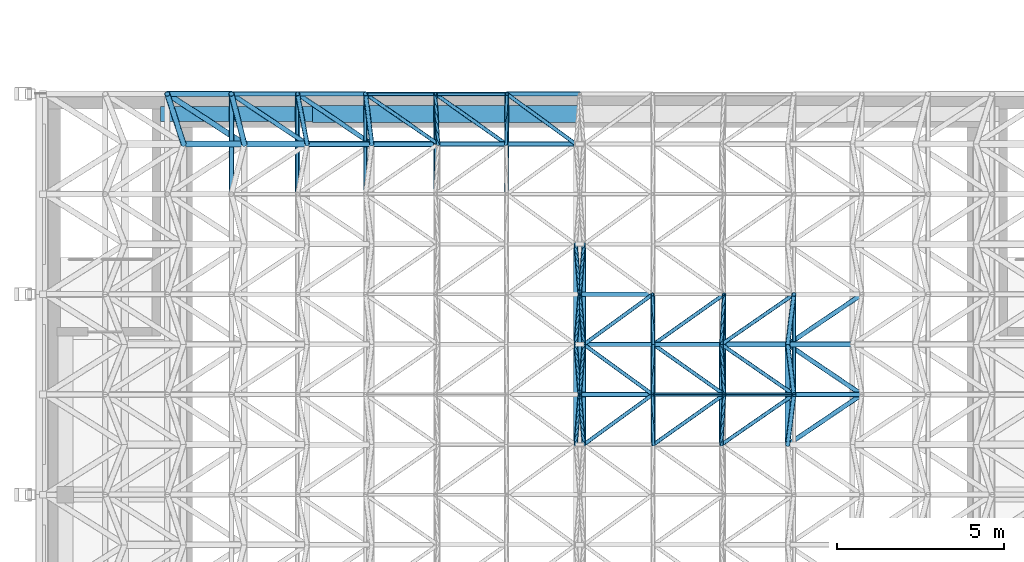
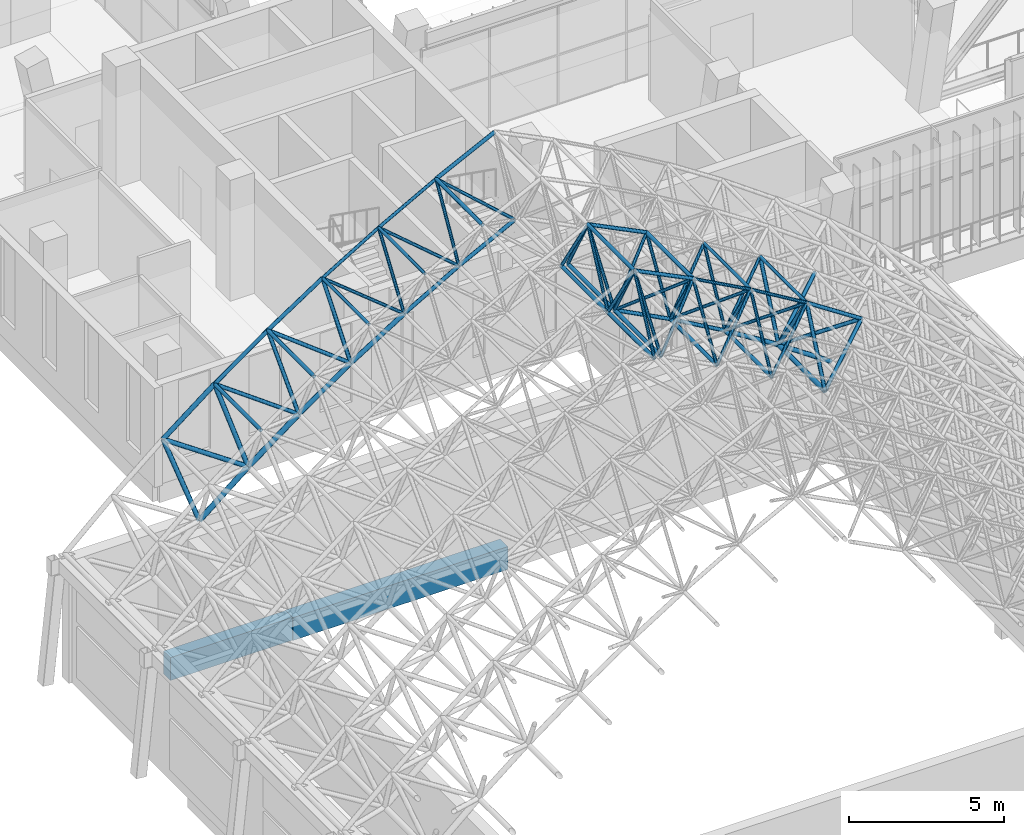
# One storey, part 26 of 141: 78 members, 2 beams.
"""IFC4 building model written with IfcOpenShell, lengths in metres."""

from ifc_helpers import new_model, si_unit, direction, frame, origin, origin_2d, place, context, subcontext, project, spatial, rectangle, hollow_circle, extrude, material, material_profile, profile_set, type_object, element, save


model = new_model("IFC4")

# Units and contexts
model_context = context("Model", 3, precision=1e-05, world=origin(), true_north=direction((0.0, 1.0)))
body_context = subcontext(model_context, "Body", "Model", "MODEL_VIEW")
ifc_project = project(units=[si_unit("LENGTHUNIT", "METRE"), si_unit("AREAUNIT", "SQUARE_METRE"), si_unit("VOLUMEUNIT", "CUBIC_METRE"), si_unit("PLANEANGLEUNIT", "RADIAN"), si_unit("MASSUNIT", "GRAM", prefix="KILO")], contexts=[model_context])

# Site, building, storey
site_placement = place(None, origin())
site = spatial("IfcSite", under=ifc_project, at=site_placement, CompositionType="ELEMENT")
building_placement = place(site_placement, origin())
building = spatial("IfcBuilding", under=site, at=building_placement, Name="Lantern Court Media Centre", CompositionType="ELEMENT")
storey_placement = place(building_placement, frame((0.0, 0.0, 9.60009765625)))
storey = spatial("IfcBuildingStorey", under=building, at=storey_placement, Name="L02", CompositionType="ELEMENT", Elevation=9.60009765625)

# Members
ifc_material_1 = material(Name="Steel S355J2 (EN 10025-2)", Category="steel")
ifc_material_profile_1 = material_profile(ifc_material_1, hollow_circle(Radius=0.06982421875, WallThickness=0.0048828125, at=origin_2d()), Name="Cinema Hall bottom CHS 139.7x5")
ifc_profile_set_1 = profile_set([ifc_material_profile_1], Name="Steel S355J2 (EN 10025-2)")
member_type_1 = type_object("IfcMemberType", Name="Cinema Hall bottom CHS 139.7x5", PredefinedType="CHORD", material=ifc_profile_set_1)
for number, where, z_axis, x_axis, name in (
    (1, (15.87939453125, 29.5, 13.298583984375), (0.0, 1.0, 0.0), (-1.0, 0.0, 0.0), "Cinema Hall bottom chord 08-11"),
    (2, (16.12060546875, 29.5, 13.298583984375), (0.0, 1.0, 0.0), (-1.0, 0.0, 0.0), "Cinema Hall bottom chord 09-11"),
    (3, (15.87939453125, 32.5, 13.298583984375), (0.0, 1.0, 0.0), (-1.0, 0.0, 0.0), "Cinema Hall bottom chord 08-12"),
    (4, (16.12060546875, 32.5, 13.298583984375), (0.0, 1.0, 0.0), (-1.0, 0.0, 0.0), "Cinema Hall bottom chord 09-12"),
):
    element("IfcMember", number, at=place(storey_placement, frame(where, z_axis=z_axis, x_axis=x_axis)), inside=storey, type_object=member_type_1, Name=name, PredefinedType="CHORD", context=body_context, shape_type="SweptSolid", body=[
        extrude(hollow_circle(Radius=0.06982421875, WallThickness=0.0048828125, at=origin_2d()), origin(), (0.0, 0.0, 1.0), 3.0),
    ])
ifc_material_profile_2 = material_profile(ifc_material_1, hollow_circle(Radius=0.06982421875, WallThickness=0.00634765625, at=origin_2d()), Name="Cinema Hall bottom CHS 139.7x6.3")
ifc_profile_set_2 = profile_set([ifc_material_profile_2], Name="Steel S355J2 (EN 10025-2)")
member_type_2 = type_object("IfcMemberType", Name="Cinema Hall bottom CHS 139.7x6.3", PredefinedType="CHORD", material=ifc_profile_set_2)
for number, where, z_axis, x_axis, name in (
    (5, (18.203125, 29.5, 12.21337890625), (0.0, 1.0, 0.0), (-1.0, 0.0, 0.0), "Cinema Hall bottom chord 10-11"),
    (6, (20.23974609375, 29.5, 11.04443359375), (0.0, 1.0, 0.0), (-1.0, 0.0, 0.0), "Cinema Hall bottom chord 11-11"),
):
    element("IfcMember", number, at=place(storey_placement, frame(where, z_axis=z_axis, x_axis=x_axis)), inside=storey, type_object=member_type_2, Name=name, PredefinedType="CHORD", context=body_context, shape_type="SweptSolid", body=[
        extrude(hollow_circle(Radius=0.06982421875, WallThickness=0.00634765625, at=origin_2d()), origin(), (0.0, 0.0, 1.0), 3.0),
    ])
member_1_placement = place(storey_placement, frame((16.12060546875, 32.5, 13.298583984375), z_axis=(0.88681645353, 0.0, -0.462121821329), x_axis=(0.0, 1.0, 0.0)))
element("IfcMember", 7, at=member_1_placement, inside=storey, type_object=member_type_2, Name="Cinema Hall bottom chord 09-12 across", PredefinedType="CHORD", context=body_context, shape_type="SweptSolid", body=[
    extrude(hollow_circle(Radius=0.06982421875, WallThickness=0.00634765625, at=origin_2d()), origin(), (0.0, 0.0, 1.0), 2.348388671875),
])
for number, where, z_axis, x_axis, name in (
    (8, (18.203125, 32.5, 12.21337890625), (0.867294659253, 0.0, -0.497795112503), (0.0, 1.0, 0.0), "Cinema Hall bottom chord 10-12 across"),
    (9, (11.76025390625, 38.5, 11.04443359375), (0.867294659253, 0.0, 0.497795112503), (0.0, 1.0, 0.0), "Cinema Hall bottom chord 06-14 across"),
):
    element("IfcMember", number, at=place(storey_placement, frame(where, z_axis=z_axis, x_axis=x_axis)), inside=storey, type_object=member_type_2, Name=name, PredefinedType="CHORD", context=body_context, shape_type="SweptSolid", body=[
        extrude(hollow_circle(Radius=0.06982421875, WallThickness=0.00634765625, at=origin_2d()), origin(), (0.0, 0.0, 1.0), 2.34814453125),
    ])
member_2_placement = place(storey_placement, frame((13.796875, 38.5, 12.21337890625), z_axis=(0.88681645353, 0.0, 0.462121821329), x_axis=(0.0, 1.0, 0.0)))
element("IfcMember", 10, at=member_2_placement, inside=storey, type_object=member_type_2, Name="Cinema Hall bottom chord 07-14 across", PredefinedType="CHORD", context=body_context, shape_type="SweptSolid", body=[
    extrude(hollow_circle(Radius=0.06982421875, WallThickness=0.00634765625, at=origin_2d()), origin(), (0.0, 0.0, 1.0), 2.348388671875),
])
ifc_material_profile_3 = material_profile(ifc_material_1, hollow_circle(Radius=0.084228515625, WallThickness=0.00634765625, at=origin_2d()), Name="Cinema Hall bottom CHS 168.3x6.3")
ifc_profile_set_3 = profile_set([ifc_material_profile_3], Name="Steel S355J2 (EN 10025-2)")
member_type_3 = type_object("IfcMemberType", Name="Cinema Hall bottom CHS 168.3x6.3", PredefinedType="CHORD", material=ifc_profile_set_3)
member_3_placement = place(storey_placement, frame((22.227294921875, 29.5, 9.7939453125), z_axis=(0.0, 1.0, 0.0), x_axis=(-1.0, 0.0, 0.0)))
element("IfcMember", 11, at=member_3_placement, inside=storey, type_object=member_type_3, Name="Cinema Hall bottom chord 12-11", PredefinedType="CHORD", context=body_context, shape_type="SweptSolid", body=[
    extrude(hollow_circle(Radius=0.084228515625, WallThickness=0.00634765625, at=origin_2d()), origin(), (0.0, 0.0, 1.0), 3.0),
])
for number, where, z_axis, x_axis, name in (
    (12, (20.23974609375, 32.5, 11.04443359375), (0.846411623189, 0.0, -0.532529214344), (0.0, 1.0, 0.0), "Cinema Hall bottom chord 11-12 across"),
    (13, (9.772705078125, 38.5, 9.7939453125), (0.846411623189, 0.0, 0.532529214344), (0.0, 1.0, 0.0), "Cinema Hall bottom chord 05-14 across"),
):
    element("IfcMember", number, at=place(storey_placement, frame(where, z_axis=z_axis, x_axis=x_axis)), inside=storey, type_object=member_type_3, Name=name, PredefinedType="CHORD", context=body_context, shape_type="SweptSolid", body=[
        extrude(hollow_circle(Radius=0.084228515625, WallThickness=0.00634765625, at=origin_2d()), origin(), (0.0, 0.0, 1.0), 2.34814453125),
    ])
ifc_material_profile_4 = material_profile(ifc_material_1, hollow_circle(Radius=0.084228515625, WallThickness=0.008056640625, at=origin_2d()), Name="Cinema Hall bottom CHS 168.3x8")
ifc_profile_set_4 = profile_set([ifc_material_profile_4], Name="Steel S355J2 (EN 10025-2)")
member_type_4 = type_object("IfcMemberType", Name="Cinema Hall bottom CHS 168.3x8", PredefinedType="CHORD", material=ifc_profile_set_4)
for number, where, z_axis, x_axis, name in (
    (14, (22.227294921875, 32.5, 9.7939453125), (0.824047991233, 0.0, -0.56651999801), (0.0, 1.0, 0.0), "Cinema Hall bottom chord 12-12 across"),
    (15, (7.837646484375, 38.5, 8.463623046875), (0.824047991233, 0.0, 0.56651999801), (0.0, 1.0, 0.0), "Cinema Hall bottom chord 04-14 across"),
):
    element("IfcMember", number, at=place(storey_placement, frame(where, z_axis=z_axis, x_axis=x_axis)), inside=storey, type_object=member_type_4, Name=name, PredefinedType="CHORD", context=body_context, shape_type="SweptSolid", body=[
        extrude(hollow_circle(Radius=0.084228515625, WallThickness=0.008056640625, at=origin_2d()), origin(), (0.0, 0.0, 1.0), 2.34814453125),
    ])
ifc_material_profile_5 = material_profile(ifc_material_1, hollow_circle(Radius=0.096923828125, WallThickness=0.010009765625, at=origin_2d()), Name="Cinema Hall bottom CHS 193.7x10")
ifc_profile_set_5 = profile_set([ifc_material_profile_5], Name="Steel S355J2 (EN 10025-2)")
member_type_5 = type_object("IfcMemberType", Name="Cinema Hall bottom CHS 193.7x10", PredefinedType="CHORD", material=ifc_profile_set_5)
member_4_placement = place(storey_placement, frame((4.1376953125, 38.5, 5.57275390625), z_axis=(0.775340578175, 0.0, 0.63154333805), x_axis=(0.0, 1.0, 0.0)))
element("IfcMember", 16, at=member_4_placement, inside=storey, type_object=member_type_5, Name="Cinema Hall bottom chord 02-14 across", PredefinedType="CHORD", context=body_context, shape_type="SweptSolid", body=[
    extrude(hollow_circle(Radius=0.096923828125, WallThickness=0.010009765625, at=origin_2d()), origin(), (0.0, 0.0, 1.0), 2.34814453125),
])
ifc_material_profile_6 = material_profile(ifc_material_1, hollow_circle(Radius=0.096923828125, WallThickness=0.008056640625, at=origin_2d()), Name="Cinema Hall bottom CHS 193.7x8")
ifc_profile_set_6 = profile_set([ifc_material_profile_6], Name="Steel S355J2 (EN 10025-2)")
member_type_6 = type_object("IfcMemberType", Name="Cinema Hall bottom CHS 193.7x8", PredefinedType="CHORD", material=ifc_profile_set_6)
member_5_placement = place(storey_placement, frame((5.958251953125, 38.5, 7.0556640625), z_axis=(0.800324254575, 0.0, 0.599567417009), x_axis=(0.0, 1.0, 0.0)))
element("IfcMember", 17, at=member_5_placement, inside=storey, type_object=member_type_6, Name="Cinema Hall bottom chord 03-14 across", PredefinedType="CHORD", context=body_context, shape_type="SweptSolid", body=[
    extrude(hollow_circle(Radius=0.096923828125, WallThickness=0.008056640625, at=origin_2d()), origin(), (0.0, 0.0, 1.0), 2.348388671875),
])
ifc_material_profile_7 = material_profile(ifc_material_1, hollow_circle(Radius=0.05712890625, WallThickness=0.0048828125, at=origin_2d()), Name="Cinema Hall diagonal CHS 114.3x5")
ifc_profile_set_7 = profile_set([ifc_material_profile_7], Name="Steel S355J2 (EN 10025-2)")
member_type_7 = type_object("IfcMemberType", Name="Cinema Hall diagonal CHS 114.3x5", PredefinedType="BRACE", material=ifc_profile_set_7)
member_6_placement = place(storey_placement, frame((15.87939453125, 29.5, 13.298583984375), z_axis=(0.041317175069, 0.513871910171, 0.85687137365), x_axis=(-0.996783215266, 0.080145004613, 0.0)))
element("IfcMember", 18, at=member_6_placement, inside=storey, type_object=member_type_7, Name="Cinema Hall diagonal 08-11-3", PredefinedType="BRACE", context=body_context, shape_type="SweptSolid", body=[
    extrude(hollow_circle(Radius=0.05712890625, WallThickness=0.0048828125, at=origin_2d()), origin(), (0.0, 0.0, 1.0), 2.9189453125),
])
member_7_placement = place(storey_placement, frame((16.12060546875, 29.5, 13.298583984375), z_axis=(0.706879781117, 0.513851085564, 0.486084392789), x_axis=(-0.587989591395, 0.808868493892, 0.0)))
element("IfcMember", 19, at=member_7_placement, inside=storey, type_object=member_type_7, Name="Cinema Hall diagonal 09-11-3", PredefinedType="BRACE", context=body_context, shape_type="SweptSolid", body=[
    extrude(hollow_circle(Radius=0.05712890625, WallThickness=0.0048828125, at=origin_2d()), origin(), (0.0, 0.0, 1.0), 2.919189453125),
])
for number, where, z_axis, x_axis, name in (
    (20, (16.12060546875, 29.5, 13.298583984375), (-0.041317175069, 0.513871910171, 0.85687137365), (-0.996783215266, -0.080145004613, 0.0), "Cinema Hall diagonal 09-11-4"),
    (21, (15.87939453125, 32.5, 13.298583984375), (0.041317175069, -0.513871910171, 0.85687137365), (0.996783215266, 0.080145004613, 0.0), "Cinema Hall diagonal 08-12-2"),
    (22, (15.87939453125, 32.5, 13.298583984375), (0.041317175069, 0.513871910171, 0.85687137365), (-0.996783215266, 0.080145004613, 0.0), "Cinema Hall diagonal 08-12-3"),
    (23, (16.12060546875, 32.5, 13.298583984375), (-0.041317175069, -0.513871910171, 0.85687137365), (0.996783215266, -0.080145004613, 0.0), "Cinema Hall diagonal 09-12-1"),
):
    element("IfcMember", number, at=place(storey_placement, frame(where, z_axis=z_axis, x_axis=x_axis)), inside=storey, type_object=member_type_7, Name=name, PredefinedType="BRACE", context=body_context, shape_type="SweptSolid", body=[
        extrude(hollow_circle(Radius=0.05712890625, WallThickness=0.0048828125, at=origin_2d()), origin(), (0.0, 0.0, 1.0), 2.9189453125),
    ])
for number, where, z_axis, x_axis, name in (
    (24, (16.12060546875, 32.5, 13.298583984375), (0.706879781117, -0.513851085564, 0.486084392789), (0.587989591395, 0.808868493892, 0.0), "Cinema Hall diagonal 09-12-2"),
    (25, (16.12060546875, 32.5, 13.298583984375), (0.706879781117, 0.513851085564, 0.486084392789), (-0.587989591395, 0.808868493892, 0.0), "Cinema Hall diagonal 09-12-3"),
):
    element("IfcMember", number, at=place(storey_placement, frame(where, z_axis=z_axis, x_axis=x_axis)), inside=storey, type_object=member_type_7, Name=name, PredefinedType="BRACE", context=body_context, shape_type="SweptSolid", body=[
        extrude(hollow_circle(Radius=0.05712890625, WallThickness=0.0048828125, at=origin_2d()), origin(), (0.0, 0.0, 1.0), 2.919189453125),
    ])
for number, where, z_axis, x_axis, name in (
    (26, (16.12060546875, 32.5, 13.298583984375), (-0.041317175069, 0.513871910171, 0.85687137365), (-0.996783215266, -0.080145004613, 0.0), "Cinema Hall diagonal 09-12-4"),
    (27, (15.87939453125, 35.5, 13.298583984375), (0.041317175069, -0.513871910171, 0.85687137365), (0.996783215266, 0.080145004613, 0.0), "Cinema Hall diagonal 08-13-2"),
    (28, (16.12060546875, 35.5, 13.298583984375), (-0.041317175069, -0.513871910171, 0.85687137365), (0.996783215266, -0.080145004613, 0.0), "Cinema Hall diagonal 09-13-1"),
):
    element("IfcMember", number, at=place(storey_placement, frame(where, z_axis=z_axis, x_axis=x_axis)), inside=storey, type_object=member_type_7, Name=name, PredefinedType="BRACE", context=body_context, shape_type="SweptSolid", body=[
        extrude(hollow_circle(Radius=0.05712890625, WallThickness=0.0048828125, at=origin_2d()), origin(), (0.0, 0.0, 1.0), 2.9189453125),
    ])
member_8_placement = place(storey_placement, frame((15.87939453125, 38.5, 13.298583984375), z_axis=(-0.706879781117, 0.513851085564, 0.486084392789), x_axis=(-0.587989591395, -0.808868493892, 0.0)))
element("IfcMember", 29, at=member_8_placement, inside=storey, type_object=member_type_7, Name="Cinema Hall diagonal 08-14-4", PredefinedType="BRACE", context=body_context, shape_type="SweptSolid", body=[
    extrude(hollow_circle(Radius=0.05712890625, WallThickness=0.0048828125, at=origin_2d()), origin(), (0.0, 0.0, 1.0), 2.919189453125),
])
ifc_material_profile_8 = material_profile(ifc_material_1, hollow_circle(Radius=0.05712890625, WallThickness=0.00634765625, at=origin_2d()), Name="Cinema Hall diagonal CHS 114.3x6.3")
ifc_profile_set_8 = profile_set([ifc_material_profile_8], Name="Steel S355J2 (EN 10025-2)")
member_type_8 = type_object("IfcMemberType", Name="Cinema Hall diagonal CHS 114.3x6.3", PredefinedType="BRACE", material=ifc_profile_set_8)
for number, where, z_axis, x_axis, name in (
    (30, (18.203125, 29.5, 12.21337890625), (0.726033609038, 0.513852147671, 0.456980490702), (-0.577701627838, 0.816248019411, 0.0), "Cinema Hall diagonal 10-11-3"),
    (31, (18.203125, 29.5, 12.21337890625), (-0.006523580306, 0.513857402591, 0.857850810283), (-0.99991942426, -0.012694289566, 0.0), "Cinema Hall diagonal 10-11-4"),
    (32, (20.23974609375, 29.5, 11.04443359375), (0.744001537395, 0.513842788417, 0.427115091218), (-0.568286154794, 0.822830994962, 0.0), "Cinema Hall diagonal 11-11-3"),
    (33, (20.23974609375, 29.5, 11.04443359375), (0.028351859734, 0.513846095007, 0.857413763999), (-0.998481283351, 0.055091984872, 0.0), "Cinema Hall diagonal 11-11-4"),
    (34, (18.203125, 32.5, 12.21337890625), (-0.006523580306, -0.513857402591, 0.857850810283), (0.99991942426, -0.012694289566, 0.0), "Cinema Hall diagonal 10-12-1"),
    (35, (18.203125, 32.5, 12.21337890625), (0.726033609038, -0.513852147671, 0.456980490702), (0.577701627838, 0.816248019411, 0.0), "Cinema Hall diagonal 10-12-2"),
    (36, (18.203125, 32.5, 12.21337890625), (0.726033609038, 0.513852147671, 0.456980490702), (-0.577701627838, 0.816248019411, 0.0), "Cinema Hall diagonal 10-12-3"),
    (37, (18.203125, 32.5, 12.21337890625), (-0.006523580306, 0.513857402591, 0.857850810283), (-0.99991942426, -0.012694289566, 0.0), "Cinema Hall diagonal 10-12-4"),
    (38, (20.23974609375, 32.5, 11.04443359375), (0.028351859734, -0.513846095007, 0.857413763999), (0.998481283351, 0.055091984872, 0.0), "Cinema Hall diagonal 11-12-1"),
    (39, (20.23974609375, 32.5, 11.04443359375), (0.744001537395, -0.513842788417, 0.427115091218), (0.568286154794, 0.822830994962, 0.0), "Cinema Hall diagonal 11-12-2"),
    (40, (20.23974609375, 32.5, 11.04443359375), (0.744001537395, 0.513842788417, 0.427115091218), (-0.568286154794, 0.822830994962, 0.0), "Cinema Hall diagonal 11-12-3"),
    (41, (20.23974609375, 32.5, 11.04443359375), (0.028351859734, 0.513846095007, 0.857413763999), (-0.998481283351, 0.055091984872, 0.0), "Cinema Hall diagonal 11-12-4"),
    (42, (11.76025390625, 38.5, 11.04443359375), (-0.028351859734, 0.513846095007, 0.857413763999), (-0.998481283351, -0.055091984872, 0.0), "Cinema Hall diagonal 06-14-3"),
    (43, (11.76025390625, 38.5, 11.04443359375), (-0.744001537395, 0.513842788417, 0.427115091218), (-0.568286154794, -0.822830994962, 0.0), "Cinema Hall diagonal 06-14-4"),
    (44, (13.796875, 38.5, 12.21337890625), (0.006523580306, 0.513857402591, 0.857850810283), (-0.99991942426, 0.012694289566, 0.0), "Cinema Hall diagonal 07-14-3"),
    (45, (13.796875, 38.5, 12.21337890625), (-0.726033609038, 0.513852147671, 0.456980490702), (-0.577701627838, -0.816248019411, 0.0), "Cinema Hall diagonal 07-14-4"),
):
    element("IfcMember", number, at=place(storey_placement, frame(where, z_axis=z_axis, x_axis=x_axis)), inside=storey, type_object=member_type_8, Name=name, PredefinedType="BRACE", context=body_context, shape_type="SweptSolid", body=[
        extrude(hollow_circle(Radius=0.05712890625, WallThickness=0.00634765625, at=origin_2d()), origin(), (0.0, 0.0, 1.0), 2.919189453125),
    ])
ifc_material_profile_9 = material_profile(ifc_material_1, hollow_circle(Radius=0.06982421875, WallThickness=0.00634765625, at=origin_2d()), Name="Cinema Hall diagonal CHS 139.7x6.3")
ifc_profile_set_9 = profile_set([ifc_material_profile_9], Name="Steel S355J2 (EN 10025-2)")
member_type_9 = type_object("IfcMemberType", Name="Cinema Hall diagonal CHS 139.7x6.3", PredefinedType="BRACE", material=ifc_profile_set_9)
member_9_placement = place(storey_placement, frame((22.227294921875, 29.5, 9.7939453125), z_axis=(0.760744068819, 0.513853513503, 0.396513591718), x_axis=(-0.559735691147, 0.828671199003, 0.0)))
element("IfcMember", 46, at=member_9_placement, inside=storey, type_object=member_type_9, Name="Cinema Hall diagonal 12-11-3", PredefinedType="BRACE", context=body_context, shape_type="SweptSolid", body=[
    extrude(hollow_circle(Radius=0.06982421875, WallThickness=0.00634765625, at=origin_2d()), origin(), (0.0, 0.0, 1.0), 2.919189453125),
])
for number, where, z_axis, x_axis, name in (
    (47, (22.227294921875, 29.5, 9.7939453125), (0.063147046974, 0.513874776966, 0.855537938409), (-0.992534194664, 0.121966685705, 0.0), "Cinema Hall diagonal 12-11-4"),
    (48, (22.227294921875, 32.5, 9.7939453125), (0.063147046974, -0.513874776966, 0.855537938409), (0.992534194664, 0.121966685705, 0.0), "Cinema Hall diagonal 12-12-1"),
):
    element("IfcMember", number, at=place(storey_placement, frame(where, z_axis=z_axis, x_axis=x_axis)), inside=storey, type_object=member_type_9, Name=name, PredefinedType="BRACE", context=body_context, shape_type="SweptSolid", body=[
        extrude(hollow_circle(Radius=0.06982421875, WallThickness=0.00634765625, at=origin_2d()), origin(), (0.0, 0.0, 1.0), 2.9189453125),
    ])
for number, where, z_axis, x_axis, name in (
    (49, (22.227294921875, 32.5, 9.7939453125), (0.760744068819, -0.513853513503, 0.396513591718), (0.559735691147, 0.828671199003, 0.0), "Cinema Hall diagonal 12-12-2"),
    (50, (22.227294921875, 32.5, 9.7939453125), (0.760744068819, 0.513853513503, 0.396513591718), (-0.559735691147, 0.828671199003, 0.0), "Cinema Hall diagonal 12-12-3"),
):
    element("IfcMember", number, at=place(storey_placement, frame(where, z_axis=z_axis, x_axis=x_axis)), inside=storey, type_object=member_type_9, Name=name, PredefinedType="BRACE", context=body_context, shape_type="SweptSolid", body=[
        extrude(hollow_circle(Radius=0.06982421875, WallThickness=0.00634765625, at=origin_2d()), origin(), (0.0, 0.0, 1.0), 2.919189453125),
    ])
for number, where, z_axis, x_axis, name in (
    (51, (22.227294921875, 32.5, 9.7939453125), (0.063147046974, 0.513874776966, 0.855537938409), (-0.992534194664, 0.121966685705, 0.0), "Cinema Hall diagonal 12-12-4"),
    (52, (9.772705078125, 38.5, 9.7939453125), (-0.063147046974, 0.513874776966, 0.855537938409), (-0.992534194664, -0.121966685705, 0.0), "Cinema Hall diagonal 05-14-3"),
):
    element("IfcMember", number, at=place(storey_placement, frame(where, z_axis=z_axis, x_axis=x_axis)), inside=storey, type_object=member_type_9, Name=name, PredefinedType="BRACE", context=body_context, shape_type="SweptSolid", body=[
        extrude(hollow_circle(Radius=0.06982421875, WallThickness=0.00634765625, at=origin_2d()), origin(), (0.0, 0.0, 1.0), 2.9189453125),
    ])
member_10_placement = place(storey_placement, frame((9.772705078125, 38.5, 9.7939453125), z_axis=(-0.760744068819, 0.513853513503, 0.396513591718), x_axis=(-0.559735691147, -0.828671199003, 0.0)))
element("IfcMember", 53, at=member_10_placement, inside=storey, type_object=member_type_9, Name="Cinema Hall diagonal 05-14-4", PredefinedType="BRACE", context=body_context, shape_type="SweptSolid", body=[
    extrude(hollow_circle(Radius=0.06982421875, WallThickness=0.00634765625, at=origin_2d()), origin(), (0.0, 0.0, 1.0), 2.919189453125),
])
ifc_material_profile_10 = material_profile(ifc_material_1, hollow_circle(Radius=0.06982421875, WallThickness=0.008056640625, at=origin_2d()), Name="Cinema Hall diagonal CHS 139.7x8")
ifc_profile_set_10 = profile_set([ifc_material_profile_10], Name="Steel S355J2 (EN 10025-2)")
member_type_10 = type_object("IfcMemberType", Name="Cinema Hall diagonal CHS 139.7x8", PredefinedType="BRACE", material=ifc_profile_set_10)
member_11_placement = place(storey_placement, frame((7.837646484375, 38.5, 8.463623046875), z_axis=(-0.09785614588, 0.51387022247, 0.852268484207), x_axis=(-0.982346962135, -0.187068025016, 0.0)))
element("IfcMember", 54, at=member_11_placement, inside=storey, type_object=member_type_10, Name="Cinema Hall diagonal 04-14-3", PredefinedType="BRACE", context=body_context, shape_type="SweptSolid", body=[
    extrude(hollow_circle(Radius=0.06982421875, WallThickness=0.008056640625, at=origin_2d()), origin(), (0.0, 0.0, 1.0), 2.9189453125),
])
member_12_placement = place(storey_placement, frame((7.837646484375, 38.5, 8.463623046875), z_axis=(-0.776210877705, 0.513849761084, 0.365315064521), x_axis=(-0.552001963744, -0.833842810141, 0.0)))
element("IfcMember", 55, at=member_12_placement, inside=storey, type_object=member_type_10, Name="Cinema Hall diagonal 04-14-4", PredefinedType="BRACE", context=body_context, shape_type="SweptSolid", body=[
    extrude(hollow_circle(Radius=0.06982421875, WallThickness=0.008056640625, at=origin_2d()), origin(), (0.0, 0.0, 1.0), 2.919189453125),
])
ifc_material_profile_11 = material_profile(ifc_material_1, hollow_circle(Radius=0.084228515625, WallThickness=0.010009765625, at=origin_2d()), Name="Cinema Hall diagonal CHS 168.3x10")
ifc_profile_set_11 = profile_set([ifc_material_profile_11], Name="Steel S355J2 (EN 10025-2)")
member_type_11 = type_object("IfcMemberType", Name="Cinema Hall diagonal CHS 168.3x10", PredefinedType="BRACE", material=ifc_profile_set_11)
member_13_placement = place(storey_placement, frame((4.1376953125, 38.5, 5.57275390625), z_axis=(-0.166695380465, 0.513886812634, 0.841506383774), x_axis=(-0.951206854862, -0.308553916299, 0.0)))
element("IfcMember", 56, at=member_13_placement, inside=storey, type_object=member_type_11, Name="Cinema Hall diagonal 02-14-3", PredefinedType="BRACE", context=body_context, shape_type="SweptSolid", body=[
    extrude(hollow_circle(Radius=0.084228515625, WallThickness=0.010009765625, at=origin_2d()), origin(), (0.0, 0.0, 1.0), 2.9189453125),
])
ifc_material_profile_12 = material_profile(ifc_material_1, hollow_circle(Radius=0.084228515625, WallThickness=0.008056640625, at=origin_2d()), Name="Cinema Hall diagonal CHS 168.3x8")
ifc_profile_set_12 = profile_set([ifc_material_profile_12], Name="Steel S355J2 (EN 10025-2)")
member_type_12 = type_object("IfcMemberType", Name="Cinema Hall diagonal CHS 168.3x8", PredefinedType="BRACE", material=ifc_profile_set_12)
member_14_placement = place(storey_placement, frame((5.958251953125, 38.5, 7.0556640625), z_axis=(-0.132389678542, 0.513835871739, 0.847611744804), x_axis=(-0.968374432366, -0.249501420318, 0.0)))
element("IfcMember", 57, at=member_14_placement, inside=storey, type_object=member_type_12, Name="Cinema Hall diagonal 03-14-3", PredefinedType="BRACE", context=body_context, shape_type="SweptSolid", body=[
    extrude(hollow_circle(Radius=0.084228515625, WallThickness=0.008056640625, at=origin_2d()), origin(), (0.0, 0.0, 1.0), 2.919189453125),
])
member_15_placement = place(storey_placement, frame((5.958251953125, 38.5, 7.0556640625), z_axis=(-0.790394065187, 0.513881601747, 0.333471019884), x_axis=(-0.545081898441, -0.838382802777, 0.0)))
element("IfcMember", 58, at=member_15_placement, inside=storey, type_object=member_type_12, Name="Cinema Hall diagonal 03-14-4", PredefinedType="BRACE", context=body_context, shape_type="SweptSolid", body=[
    extrude(hollow_circle(Radius=0.084228515625, WallThickness=0.008056640625, at=origin_2d()), origin(), (0.0, 0.0, 1.0), 2.9189453125),
])
ifc_material_profile_13 = material_profile(ifc_material_1, hollow_circle(Radius=0.05712890625, WallThickness=0.00634765625, at=origin_2d()), Name="Cinema Hall top CHS 114.3x6.3")
ifc_profile_set_13 = profile_set([ifc_material_profile_13], Name="Steel S355J2 (EN 10025-2)")
member_type_13 = type_object("IfcMemberType", Name="Cinema Hall top CHS 114.3x6.3", PredefinedType="CHORD", material=ifc_profile_set_13)
for number, where, z_axis, x_axis, name in (
    (59, (20.322509765625, 31.0, 13.54736328125), (0.0, 1.0, 0.0), (-1.0, 0.0, 0.0), "Cinema Hall top chord 11-12"),
    (60, (22.41162109375, 31.0, 12.291259765625), (0.0, 1.0, 0.0), (-1.0, 0.0, 0.0), "Cinema Hall top chord 12-12"),
    (61, (9.58837890625, 37.0, 12.291259765625), (0.0, 1.0, 0.0), (-1.0, 0.0, 0.0), "Cinema Hall top chord 06-14"),
    (62, (11.677490234375, 37.0, 13.54736328125), (0.0, 1.0, 0.0), (-1.0, 0.0, 0.0), "Cinema Hall top chord 07-14"),
):
    element("IfcMember", number, at=place(storey_placement, frame(where, z_axis=z_axis, x_axis=x_axis)), inside=storey, type_object=member_type_13, Name=name, PredefinedType="CHORD", context=body_context, shape_type="SweptSolid", body=[
        extrude(hollow_circle(Radius=0.05712890625, WallThickness=0.00634765625, at=origin_2d()), origin(), (0.0, 0.0, 1.0), 3.0),
    ])
for number, where, z_axis, x_axis, name in (
    (63, (18.18408203125, 31.0, 14.717529296875), (0.87724791815, 0.0, -0.480037592384), (0.0, 1.0, 0.0), "Cinema Hall top chord 10-12 across"),
    (64, (20.322509765625, 31.0, 13.54736328125), (0.857015353865, 0.0, -0.515290872459), (0.0, 1.0, 0.0), "Cinema Hall top chord 11-12 across"),
    (65, (9.58837890625, 40.0, 12.291259765625), (0.857015353865, 0.0, 0.515290872459), (0.0, 1.0, 0.0), "Cinema Hall top chord 06-15 across"),
    (66, (11.677490234375, 40.0, 13.54736328125), (0.87724791815, 0.0, 0.480037592384), (0.0, 1.0, 0.0), "Cinema Hall top chord 07-15 across"),
):
    element("IfcMember", number, at=place(storey_placement, frame(where, z_axis=z_axis, x_axis=x_axis)), inside=storey, type_object=member_type_13, Name=name, PredefinedType="CHORD", context=body_context, shape_type="SweptSolid", body=[
        extrude(hollow_circle(Radius=0.05712890625, WallThickness=0.00634765625, at=origin_2d()), origin(), (0.0, 0.0, 1.0), 2.437744140625),
    ])
ifc_material_profile_14 = material_profile(ifc_material_1, hollow_circle(Radius=0.06982421875, WallThickness=0.0048828125, at=origin_2d()), Name="Cinema Hall top CHS 139.7x5")
ifc_profile_set_14 = profile_set([ifc_material_profile_14], Name="Steel S355J2 (EN 10025-2)")
member_type_14 = type_object("IfcMemberType", Name="Cinema Hall top CHS 139.7x5", PredefinedType="CHORD", material=ifc_profile_set_14)
for number, where, z_axis, x_axis, name in (
    (67, (16.0, 31.0, 15.7998046875), (0.0, 1.0, 0.0), (-1.0, 0.0, 0.0), "Cinema Hall top chord 09-12"),
    (68, (18.18408203125, 31.0, 14.717529296875), (0.0, 1.0, 0.0), (-1.0, 0.0, 0.0), "Cinema Hall top chord 10-12"),
    (69, (13.81591796875, 37.0, 14.717529296875), (0.0, 1.0, 0.0), (-1.0, 0.0, 0.0), "Cinema Hall top chord 08-14"),
):
    element("IfcMember", number, at=place(storey_placement, frame(where, z_axis=z_axis, x_axis=x_axis)), inside=storey, type_object=member_type_14, Name=name, PredefinedType="CHORD", context=body_context, shape_type="SweptSolid", body=[
        extrude(hollow_circle(Radius=0.06982421875, WallThickness=0.0048828125, at=origin_2d()), origin(), (0.0, 0.0, 1.0), 3.0),
    ])
for number, where, z_axis, x_axis, name in (
    (70, (16.0, 31.0, 15.7998046875), (0.896023995237, 0.0, -0.444005630549), (0.0, 1.0, 0.0), "Cinema Hall top chord 09-12 across"),
    (71, (16.0, 34.0, 15.7998046875), (0.896023995237, 0.0, -0.444005630549), (0.0, 1.0, 0.0), "Cinema Hall top chord 09-13 across"),
    (72, (13.81591796875, 40.0, 14.717529296875), (0.896023995237, 0.0, 0.444005630549), (0.0, 1.0, 0.0), "Cinema Hall top chord 08-15 across"),
):
    element("IfcMember", number, at=place(storey_placement, frame(where, z_axis=z_axis, x_axis=x_axis)), inside=storey, type_object=member_type_14, Name=name, PredefinedType="CHORD", context=body_context, shape_type="SweptSolid", body=[
        extrude(hollow_circle(Radius=0.06982421875, WallThickness=0.0048828125, at=origin_2d()), origin(), (0.0, 0.0, 1.0), 2.4375),
    ])
ifc_material_profile_15 = material_profile(ifc_material_1, hollow_circle(Radius=0.06982421875, WallThickness=0.00634765625, at=origin_2d()), Name="Cinema Hall top CHS 139.7x6.3")
ifc_profile_set_15 = profile_set([ifc_material_profile_15], Name="Steel S355J2 (EN 10025-2)")
member_type_15 = type_object("IfcMemberType", Name="Cinema Hall top CHS 139.7x6.3", PredefinedType="CHORD", material=ifc_profile_set_15)
member_16_placement = place(storey_placement, frame((7.552001953125, 37.0, 10.951416015625), z_axis=(0.0, 1.0, 0.0), x_axis=(-1.0, 0.0, 0.0)))
element("IfcMember", 73, at=member_16_placement, inside=storey, type_object=member_type_15, Name="Cinema Hall top chord 05-14", PredefinedType="CHORD", context=body_context, shape_type="SweptSolid", body=[
    extrude(hollow_circle(Radius=0.06982421875, WallThickness=0.00634765625, at=origin_2d()), origin(), (0.0, 0.0, 1.0), 3.0),
])
for number, where, z_axis, x_axis, name in (
    (74, (22.41162109375, 31.0, 12.291259765625), (0.835394087943, 0.0, -0.549651451221), (0.0, 1.0, 0.0), "Cinema Hall top chord 12-12 across"),
    (75, (7.552001953125, 40.0, 10.951416015625), (0.835394087943, 0.0, 0.549651451221), (0.0, 1.0, 0.0), "Cinema Hall top chord 05-15 across"),
):
    element("IfcMember", number, at=place(storey_placement, frame(where, z_axis=z_axis, x_axis=x_axis)), inside=storey, type_object=member_type_15, Name=name, PredefinedType="CHORD", context=body_context, shape_type="SweptSolid", body=[
        extrude(hollow_circle(Radius=0.06982421875, WallThickness=0.00634765625, at=origin_2d()), origin(), (0.0, 0.0, 1.0), 2.437744140625),
    ])
ifc_material_profile_16 = material_profile(ifc_material_1, hollow_circle(Radius=0.06982421875, WallThickness=0.008056640625, at=origin_2d()), Name="Cinema Hall top CHS 139.7x8")
ifc_profile_set_16 = profile_set([ifc_material_profile_16], Name="Steel S355J2 (EN 10025-2)")
member_type_16 = type_object("IfcMemberType", Name="Cinema Hall top CHS 139.7x8", PredefinedType="CHORD", material=ifc_profile_set_16)
member_17_placement = place(storey_placement, frame((5.57177734375, 37.0, 9.530029296875), z_axis=(0.0, 1.0, 0.0), x_axis=(-1.0, 0.0, 0.0)))
element("IfcMember", 76, at=member_17_placement, inside=storey, type_object=member_type_16, Name="Cinema Hall top chord 04-14", PredefinedType="CHORD", context=body_context, shape_type="SweptSolid", body=[
    extrude(hollow_circle(Radius=0.06982421875, WallThickness=0.008056640625, at=origin_2d()), origin(), (0.0, 0.0, 1.0), 3.0),
])
member_18_placement = place(storey_placement, frame((5.57177734375, 40.0, 9.530029296875), z_axis=(0.812384562891, 0.0, 0.583122047239), x_axis=(0.0, 1.0, 0.0)))
element("IfcMember", 77, at=member_18_placement, inside=storey, type_object=member_type_16, Name="Cinema Hall top chord 04-15 across", PredefinedType="CHORD", context=body_context, shape_type="SweptSolid", body=[
    extrude(hollow_circle(Radius=0.06982421875, WallThickness=0.008056640625, at=origin_2d()), origin(), (0.0, 0.0, 1.0), 2.4375),
])
ifc_material_profile_17 = material_profile(ifc_material_1, hollow_circle(Radius=0.084228515625, WallThickness=0.008056640625, at=origin_2d()), Name="Cinema Hall top CHS 168.3x8")
ifc_profile_set_17 = profile_set([ifc_material_profile_17], Name="Steel S355J2 (EN 10025-2)")
member_type_17 = type_object("IfcMemberType", Name="Cinema Hall top CHS 168.3x8", PredefinedType="CHORD", material=ifc_profile_set_17)
member_19_placement = place(storey_placement, frame((3.651123046875, 40.0, 8.029052734375), z_axis=(0.787931739718, 0.0, 0.615762595117), x_axis=(0.0, 1.0, 0.0)))
element("IfcMember", 78, at=member_19_placement, inside=storey, type_object=member_type_17, Name="Cinema Hall top chord 03-15 across", PredefinedType="CHORD", context=body_context, shape_type="SweptSolid", body=[
    extrude(hollow_circle(Radius=0.084228515625, WallThickness=0.008056640625, at=origin_2d()), origin(), (0.0, 0.0, 1.0), 2.4375),
])

# Beams
ifc_material_2 = material(Name="Concrete C35", Category="concrete")
ifc_material_profile_18 = material_profile(ifc_material_2, rectangle(XDim=0.449951171875, YDim=0.89990234375, at=origin_2d()), Name="RC 450x900")
ifc_profile_set_18 = profile_set([ifc_material_profile_18], Name="Concrete C35")
beam_type_1 = type_object("IfcBeamType", Name="RC BEAM 450x900", PredefinedType="BEAM", material=ifc_profile_set_18)
beam_1_placement = place(storey_placement, frame((3.449951171875, 39.39990234375, -0.4501953125), z_axis=(1.0, 0.0, 0.0), x_axis=(0.0, 1.0, 0.0)))
element("IfcBeam", 79, at=beam_1_placement, inside=storey, type_object=beam_type_1, Name="HB-V1-L02-FX7-0", PredefinedType="BEAM", context=body_context, shape_type="SweptSolid", body=[
    extrude(rectangle(XDim=0.449951171875, YDim=0.89990234375, at=origin_2d()), origin(), (0.0, 0.0, 1.0), 4.550048828125),
])
ifc_material_profile_19 = material_profile(ifc_material_2, rectangle(XDim=0.5, YDim=0.89990234375, at=origin_2d()), Name="RC 500x900")
ifc_profile_set_19 = profile_set([ifc_material_profile_19], Name="Concrete C35")
beam_type_2 = type_object("IfcBeamType", Name="RC BEAM 500x900", PredefinedType="BEAM", material=ifc_profile_set_19)
beam_2_placement = place(storey_placement, frame((8.0, 39.39990234375, -0.4501953125), z_axis=(1.0, 0.0, 0.0), x_axis=(0.0, 1.0, 0.0)))
element("IfcBeam", 80, at=beam_2_placement, inside=storey, type_object=beam_type_2, Name="HB-V1-L02-FX7-1", PredefinedType="BEAM", context=body_context, shape_type="SweptSolid", body=[
    extrude(rectangle(XDim=0.5, YDim=0.89990234375, at=origin_2d()), origin(), (0.0, 0.0, 1.0), 8.0),
])

save(model, "model.ifc")
